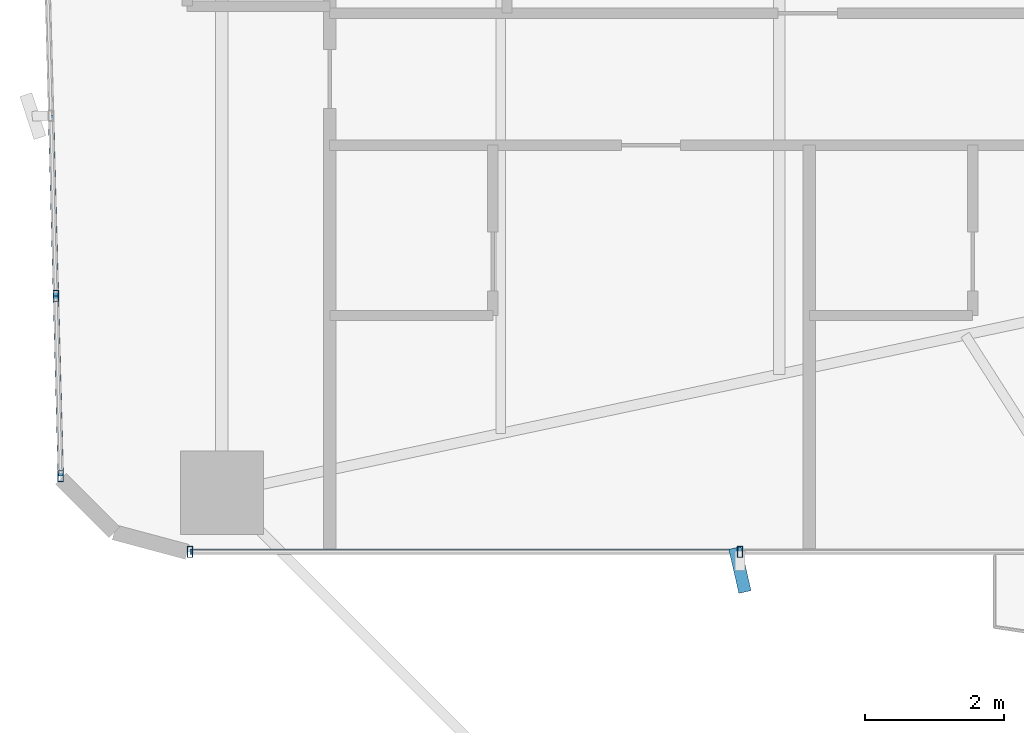
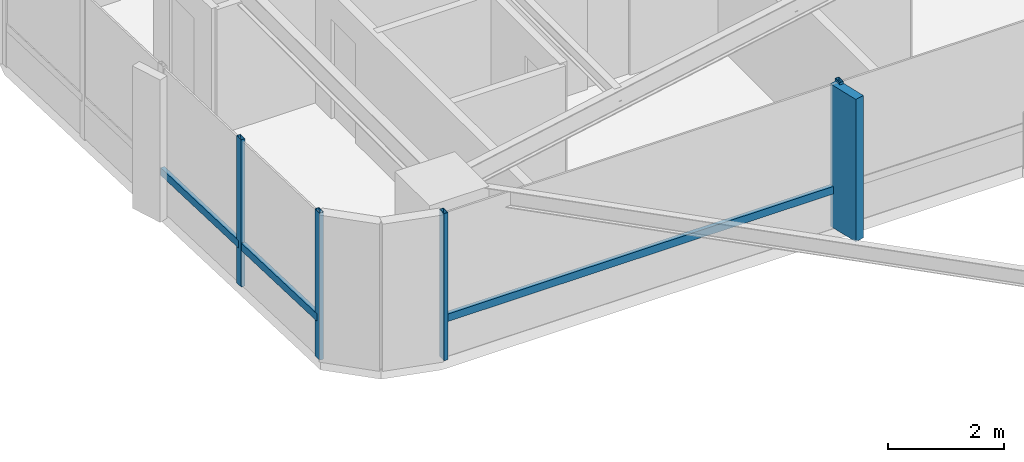
# One storey, part 6 of 26: 8 members, 2 elements without a shape of their own.
"""IFC4 building model written with IfcOpenShell, lengths in metres."""

from ifc_helpers import new_model, si_unit, direction, frame, origin, origin_2d, place, context, subcontext, project, spatial, rectangle, hollow_rectangle, extrude, source, transform, mapped, material, material_profile, profile_set, type_object, element, aggregate, save


model = new_model("IFC4")

# Units and contexts
model_context = context("Model", 3, precision=1e-05, world=origin(), true_north=direction((0.0, 1.0)))
body_context = subcontext(model_context, "Body", "Model", "MODEL_VIEW")
ifc_project = project(units=[si_unit("LENGTHUNIT", "METRE"), si_unit("AREAUNIT", "SQUARE_METRE"), si_unit("VOLUMEUNIT", "CUBIC_METRE"), si_unit("PLANEANGLEUNIT", "RADIAN"), si_unit("MASSUNIT", "GRAM", prefix="KILO")], contexts=[model_context])

# Site, building, storey
site_placement = place(None, origin())
site = spatial("IfcSite", under=ifc_project, at=site_placement, CompositionType="ELEMENT")
building_placement = place(site_placement, origin())
building = spatial("IfcBuilding", under=site, at=building_placement, Name="Sahyath Konkavel Grand Hotel", CompositionType="ELEMENT")
storey_placement = place(building_placement, frame((0.0, 0.0, 26.449951171875)))
storey = spatial("IfcBuildingStorey", under=building, at=storey_placement, Name="L06", CompositionType="ELEMENT", Elevation=26.449951171875)

# Curtain wall, members
ifc_material_1 = material(Name="Anodised Bronze Aluminium & Low-E Glazing", Category="aluminium")
curtain_wall_type = type_object("IfcCurtainWallType", Name="CW-ZONE1", PredefinedType="NOTDEFINED", material=ifc_material_1)
curtain_wall_1_placement = place(storey_placement, origin())
curtain_wall_1 = element("IfcCurtainWall", 1, at=curtain_wall_1_placement, inside=storey, type_object=curtain_wall_type, Name="L06 Unitised Curtain Wall F23", PredefinedType="NOTDEFINED")
ifc_material_2 = material(Name="Warm Buff Sandstone Cladding on Concrete C50/60", Category="masonry")
ifc_material_profile_1 = material_profile(ifc_material_2, rectangle(XDim=0.179931640625, YDim=0.64990234375, at=origin_2d()), Name="FIN 180x650")
ifc_profile_set_1 = profile_set([ifc_material_profile_1], Name="Warm Buff Sandstone Cladding on Concrete C50/60")
member_type_1 = type_object("IfcMemberType", Name="FIN-SANDSTONE-650", PredefinedType="MULLION", material=ifc_profile_set_1)
shared_shape_1 = source(origin(), body_context, "Body", "SweptSolid", [
    extrude(rectangle(XDim=0.179931640625, YDim=0.64990234375, at=origin_2d()), origin(), (0.0, 0.0, 1.0), 3.010009765625),
])
member_1_placement = place(storey_placement, frame((-14.75, -7.06005859375, 0.050048828125), z_axis=(0.0, 0.0, 1.0), x_axis=(0.974644167091, 0.223760469153, 0.0)))
member_1 = element("IfcMember", 2, at=member_1_placement, type_object=member_type_1, Name="L06 Sandstone Vertical Solar Fin FIN F23-1", PredefinedType="MULLION", context=body_context, shape_type="MappedRepresentation", body=[
    mapped(shared_shape_1, transform((0.0, 0.0, 0.0), scale=1.0)),
])
ifc_material_3 = material(Name="Anodised Bronze Aluminium", Category="aluminium")
ifc_material_profile_2 = material_profile(ifc_material_3, hollow_rectangle(XDim=0.080078125, YDim=0.159912109375, WallThickness=0.006103515625, at=origin_2d()), Name="RHS 160x80x6")
ifc_profile_set_2 = profile_set([ifc_material_profile_2], Name="Anodised Bronze Aluminium")
member_type_2 = type_object("IfcMemberType", Name="CW-TRN-160", PredefinedType="USERDEFINED", material=ifc_profile_set_2)
shared_shape_2 = source(origin(), body_context, "Body", "SweptSolid", [
    extrude(hollow_rectangle(XDim=0.080078125, YDim=0.159912109375, WallThickness=0.006103515625, at=origin_2d()), origin(), (0.0, 0.0, 1.0), 7.909912109375),
])
member_2_placement = place(storey_placement, frame((-22.659912109375, -6.800048828125, 0.85009765625), z_axis=(1.0, 0.0, 0.0), x_axis=(0.0, 1.0, 0.0)))
member_2 = element("IfcMember", 3, at=member_2_placement, type_object=member_type_2, Name="L06 Curtain Wall Transom F23-0-spandrel", ObjectType="TRANSOM", PredefinedType="USERDEFINED", context=body_context, shape_type="MappedRepresentation", body=[
    mapped(shared_shape_2, transform((0.0, 0.0, 0.0), scale=1.0)),
])

curtain_wall_2_placement = place(storey_placement, origin())
curtain_wall_2 = element("IfcCurtainWall", 4, at=curtain_wall_2_placement, inside=storey, type_object=curtain_wall_type, Name="L06 Unitised Curtain Wall F20", PredefinedType="NOTDEFINED")
shared_shape_3 = source(origin(), body_context, "Body", "SweptSolid", [
    extrude(hollow_rectangle(XDim=0.080078125, YDim=0.159912109375, WallThickness=0.006103515625, at=origin_2d()), origin(), (0.0, 0.0, 1.0), 2.593505859375),
])
member_3_placement = place(storey_placement, frame((-24.6591796875, -0.52490234375, 0.85009765625), z_axis=(0.02682902444, -0.999640036937, 0.0), x_axis=(0.999640036937, 0.02682902444, 0.0)))
member_3 = element("IfcMember", 5, at=member_3_placement, type_object=member_type_2, Name="L06 Curtain Wall Transom F20-2-spandrel", ObjectType="TRANSOM", PredefinedType="USERDEFINED", context=body_context, shape_type="MappedRepresentation", body=[
    mapped(shared_shape_3, transform((0.0, 0.0, 0.0), scale=1.0)),
])
member_4_placement = place(storey_placement, frame((-24.589599609375, -3.117431640625, 0.85009765625), z_axis=(0.026923093252, -0.999637507825, 0.0), x_axis=(0.999637507825, 0.026923093252, 0.0)))
member_4 = element("IfcMember", 6, at=member_4_placement, type_object=member_type_2, Name="L06 Curtain Wall Transom F20-3-spandrel", ObjectType="TRANSOM", PredefinedType="USERDEFINED", context=body_context, shape_type="MappedRepresentation", body=[
    mapped(shared_shape_3, transform((0.0, 0.0, 0.0), scale=1.0)),
])
ifc_material_profile_3 = material_profile(ifc_material_3, hollow_rectangle(XDim=0.080078125, YDim=0.159912109375, WallThickness=0.006103515625, at=origin_2d()), Name="RHS 160x80x6")
ifc_profile_set_3 = profile_set([ifc_material_profile_3], Name="Anodised Bronze Aluminium")
member_type_3 = type_object("IfcMemberType", Name="CW-MUL-160", PredefinedType="MULLION", material=ifc_profile_set_3)
shared_shape_4 = source(origin(), body_context, "Body", "SweptSolid", [
    extrude(hollow_rectangle(XDim=0.080078125, YDim=0.159912109375, WallThickness=0.006103515625, at=origin_2d()), origin(), (0.0, 0.0, 1.0), 3.110107421875),
])
member_5_placement = place(storey_placement, frame((-24.589599609375, -3.117431640625, 0.0), z_axis=(0.0, 0.0, 1.0), x_axis=(1.0, 0.0, 0.0)))
member_5 = element("IfcMember", 7, at=member_5_placement, type_object=member_type_3, Name="L06 Curtain Wall Mullion F20-3", PredefinedType="MULLION", context=body_context, shape_type="MappedRepresentation", body=[
    mapped(shared_shape_4, transform((0.0, 0.0, 0.0), scale=1.0)),
])
member_6_placement = place(storey_placement, frame((-24.519775390625, -5.7099609375, 0.0), z_axis=(0.0, 0.0, 1.0), x_axis=(1.0, 0.0, 0.0)))
member_6 = element("IfcMember", 8, at=member_6_placement, type_object=member_type_3, Name="L06 Curtain Wall Mullion F20-4", PredefinedType="MULLION", context=body_context, shape_type="MappedRepresentation", body=[
    mapped(shared_shape_4, transform((0.0, 0.0, 0.0), scale=1.0)),
])
aggregate(curtain_wall_2, [member_5, member_6, member_3, member_4])

# Member
member_7_placement = place(storey_placement, frame((-22.659912109375, -6.800048828125, 0.0), z_axis=(0.0, 0.0, 1.0), x_axis=(1.0, 0.0, 0.0)))
member_7 = element("IfcMember", 9, at=member_7_placement, type_object=member_type_3, Name="L06 Curtain Wall Mullion F23-0", PredefinedType="MULLION", context=body_context, shape_type="MappedRepresentation", body=[
    mapped(shared_shape_4, transform((0.0, 0.0, 0.0), scale=1.0)),
])

member_8_placement = place(storey_placement, frame((-14.75, -6.800048828125, 0.0), z_axis=(0.0, 0.0, 1.0), x_axis=(1.0, 0.0, 0.0)))
member_8 = element("IfcMember", 10, at=member_8_placement, type_object=member_type_3, Name="L06 Curtain Wall Mullion F23-1", PredefinedType="MULLION", context=body_context, shape_type="MappedRepresentation", body=[
    mapped(shared_shape_4, transform((0.0, 0.0, 0.0), scale=1.0)),
])

aggregate(curtain_wall_1, [member_7, member_8, member_1, member_2])

save(model, "model.ifc")
